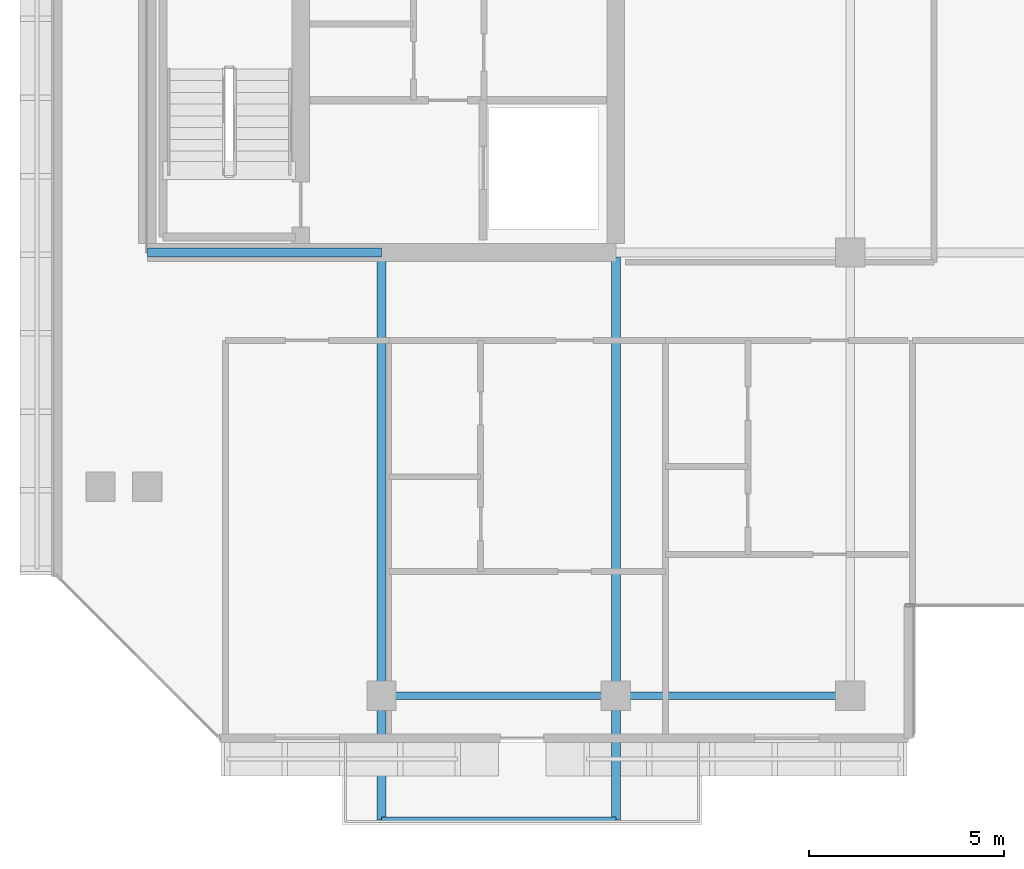
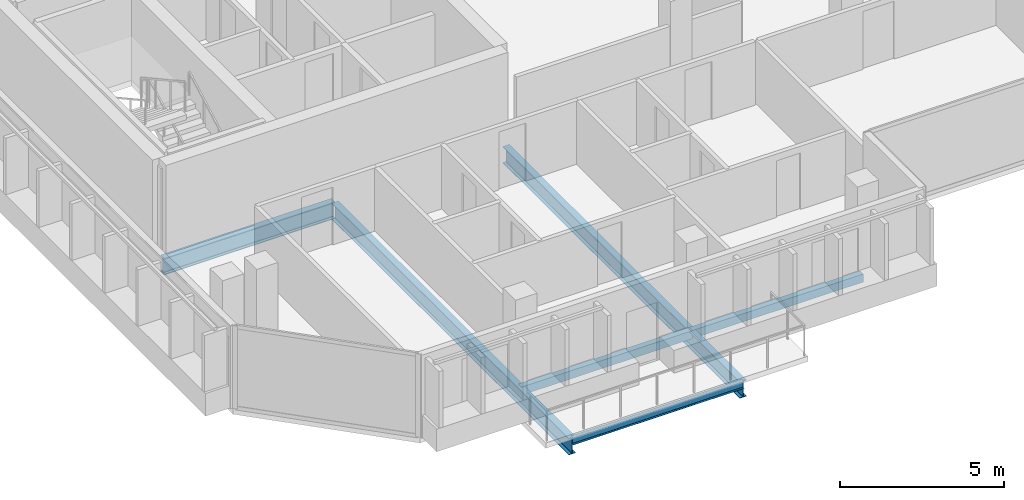
# One storey, part 3 of 25: 6 beams.
"""IFC4 building model written with IfcOpenShell, lengths in metres."""

from ifc_helpers import new_model, si_unit, direction, frame, origin, origin_2d, place, context, subcontext, project, spatial, hollow_rectangle, i_section, extrude, material, material_profile, profile_set, type_object, element, save


model = new_model("IFC4")

# Units and contexts
model_context = context("Model", 3, precision=1e-05, world=origin(), true_north=direction((0.0, 1.0)))
body_context = subcontext(model_context, "Body", "Model", "MODEL_VIEW")
ifc_project = project(units=[si_unit("LENGTHUNIT", "METRE"), si_unit("AREAUNIT", "SQUARE_METRE"), si_unit("VOLUMEUNIT", "CUBIC_METRE"), si_unit("PLANEANGLEUNIT", "RADIAN"), si_unit("MASSUNIT", "GRAM", prefix="KILO")], contexts=[model_context])

# Site, building, storey
site_placement = place(None, origin())
site = spatial("IfcSite", under=ifc_project, at=site_placement, CompositionType="ELEMENT")
building_placement = place(site_placement, origin())
building = spatial("IfcBuilding", under=site, at=building_placement, Name="Tanjung Sevakor Pilgrim Tower", CompositionType="ELEMENT")
storey_placement = place(building_placement, frame((0.0, 0.0, 204.929931640625)))
storey = spatial("IfcBuildingStorey", under=building, at=storey_placement, Name="L57", CompositionType="ELEMENT", Elevation=204.929931640625)

# Beams
ifc_material_1 = material(Name="Steel S355J2", Category="steel")
ifc_material_profile_1 = material_profile(ifc_material_1, i_section(OverallWidth=0.22900390625, OverallDepth=0.6123046875, WebThickness=0.011962890625, FlangeThickness=0.01953125, FilletRadius=0.0126953125, at=origin_2d()))
ifc_profile_set_1 = profile_set([ifc_material_profile_1], Name="Steel S355J2")
beam_type_1 = type_object("IfcBeamType", Name="BM-B-G4-UB_610x229x125", PredefinedType="BEAM", material=ifc_profile_set_1)
beam_1_placement = place(storey_placement, frame((24.0, 24.60009765625, -0.526123046875), z_axis=(1.0, 0.0, 0.0), x_axis=(0.0, 1.0, 0.0)))
element("IfcBeam", 1, at=beam_1_placement, inside=storey, type_object=beam_type_1, Name="L57 Primary Floor Girder MAIN Y246-01", PredefinedType="BEAM", context=body_context, shape_type="SweptSolid", body=[
    extrude(i_section(OverallWidth=0.22900390625, OverallDepth=0.6123046875, WebThickness=0.011962890625, FlangeThickness=0.01953125, FilletRadius=0.0126953125, at=origin_2d()), origin(), (0.0, 0.0, 1.0), 6.0),
])
for number, where, z_axis, x_axis, name in (
    (2, (30.0, 24.485595703125, -0.526123046875), (0.0, -1.0, 0.0), (1.0, 0.0, 0.0), "L57 Balcony Cantilever Beam MAIN-S1-1"),
    (3, (36.0, 24.485595703125, -0.526123046875), (0.0, -1.0, 0.0), (1.0, 0.0, 0.0), "L57 Balcony Cantilever Beam MAIN-S1-2"),
):
    element("IfcBeam", number, at=place(storey_placement, frame(where, z_axis=z_axis, x_axis=x_axis)), inside=storey, type_object=beam_type_1, Name=name, PredefinedType="BEAM", context=body_context, shape_type="SweptSolid", body=[
        extrude(i_section(OverallWidth=0.22900390625, OverallDepth=0.6123046875, WebThickness=0.011962890625, FlangeThickness=0.01953125, FilletRadius=0.0126953125, at=origin_2d()), origin(), (0.0, 0.0, 1.0), 14.41552734375),
    ])
ifc_material_2 = material(Name="Steel S355J2", Category="steel")
ifc_material_profile_2 = material_profile(ifc_material_2, i_section(OverallWidth=0.146484375, OverallDepth=0.256103515625, WebThickness=0.00634765625, FlangeThickness=0.010986328125, FilletRadius=0.007568359375, at=origin_2d()))
ifc_profile_set_2 = profile_set([ifc_material_profile_2], Name="Steel S355J2")
beam_type_2 = type_object("IfcBeamType", Name="BM-B-J6-UB_254x146x37", PredefinedType="JOIST", material=ifc_profile_set_2)
beam_2_placement = place(storey_placement, frame((30.0, 10.070068359375, -0.327880859375), z_axis=(1.0, 0.0, 0.0), x_axis=(0.0, 1.0, 0.0)))
element("IfcBeam", 4, at=beam_2_placement, inside=storey, type_object=beam_type_2, Name="L57 Balcony Rim Tie MAIN-S1", PredefinedType="JOIST", context=body_context, shape_type="SweptSolid", body=[
    extrude(i_section(OverallWidth=0.146484375, OverallDepth=0.256103515625, WebThickness=0.00634765625, FlangeThickness=0.010986328125, FilletRadius=0.007568359375, at=origin_2d()), origin(), (0.0, 0.0, 1.0), 6.0),
])
ifc_material_3 = material(Name="Steel S355J2", Category="steel")
ifc_material_profile_3 = material_profile(ifc_material_3, hollow_rectangle(XDim=0.199951171875, YDim=0.300048828125, WallThickness=0.012451171875, at=origin_2d()))
ifc_profile_set_3 = profile_set([ifc_material_profile_3], Name="Steel S355J2")
beam_type_3 = type_object("IfcBeamType", Name="BM-B-SP3-RHS_300x200x12.5", PredefinedType="SPANDREL", material=ifc_profile_set_3)
for number, where, z_axis, x_axis, name in (
    (5, (30.0, 13.25, -0.369873046875), (1.0, 0.0, 0.0), (0.0, 1.0, 0.0), "L57 Spandrel MAIN S-01"),
    (6, (36.0, 13.25, -0.369873046875), (1.0, 0.0, 0.0), (0.0, 1.0, 0.0), "L57 Spandrel MAIN S-03"),
):
    element("IfcBeam", number, at=place(storey_placement, frame(where, z_axis=z_axis, x_axis=x_axis)), inside=storey, type_object=beam_type_3, Name=name, PredefinedType="SPANDREL", context=body_context, shape_type="SweptSolid", body=[
        extrude(hollow_rectangle(XDim=0.199951171875, YDim=0.300048828125, WallThickness=0.012451171875, at=origin_2d()), origin(), (0.0, 0.0, 1.0), 6.0),
    ])

save(model, "model.ifc")
